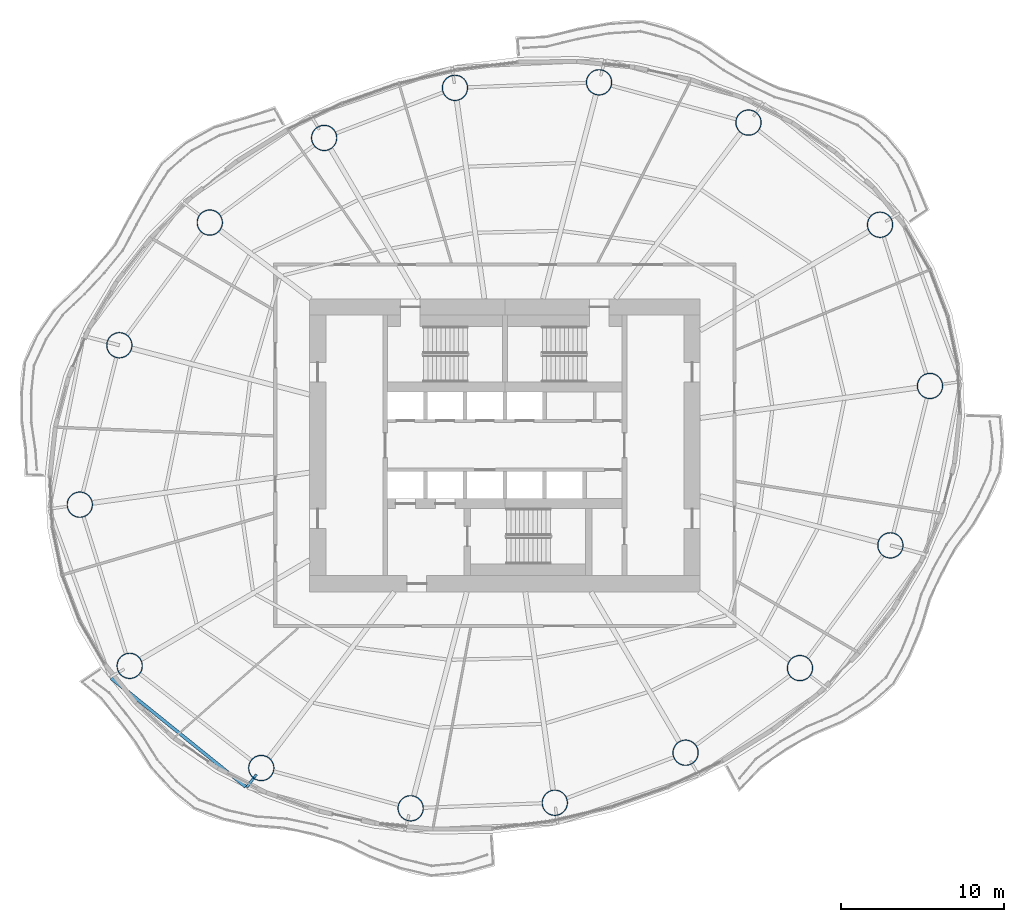
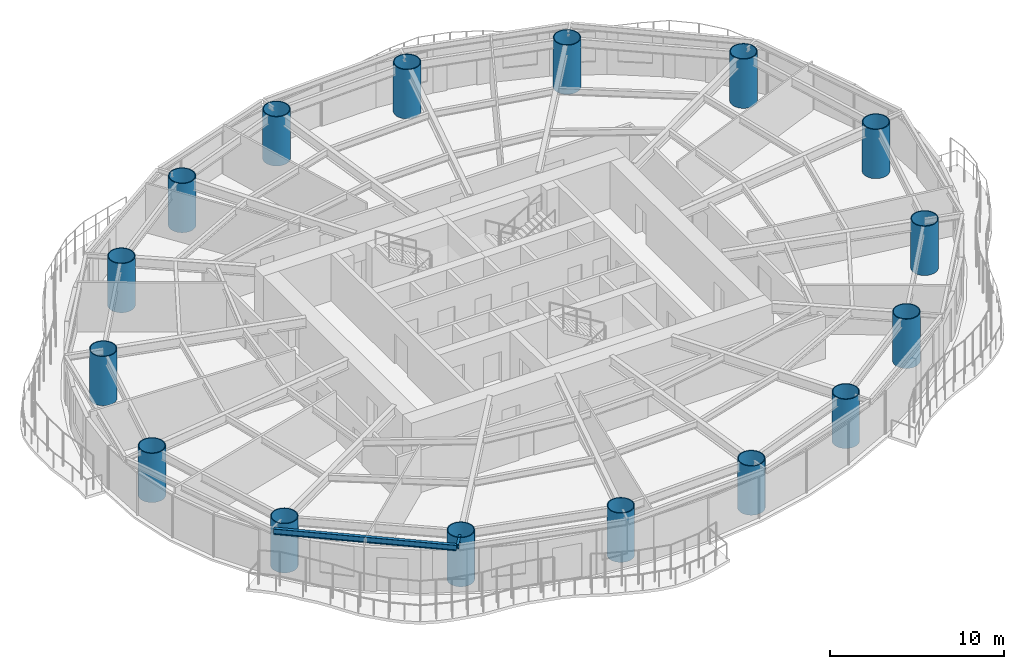
# One storey, part 1 of 16: 16 columns, 2 beams.
"""IFC4 building model written with IfcOpenShell, lengths in metres."""

import ifcopenshell
import ifcopenshell.guid

model = None  # the IFC model being written
_history = None  # IfcOwnerHistory: only IFC2X3 demands one
_inside = {}  # id of a spatial element -> (the spatial element, [elements in it])
_under = {}  # id of a project, library or spatial element -> (it, [spatial elements below it])
_declared = {}  # id of a project -> (the project, [libraries it declares])
_typed = {}  # id of a type object -> (the type object, [elements of that type])
_made_of = {}  # id of a material, layer set ... -> (it, [elements and type objects made of it])


def new_model(schema):
    """Start an empty IFC model of exactly this schema.

    Asked for "IFC4X3", IfcOpenShell would pick the latest addendum, in which some entities
    have other attributes; the version numbers below select the first issue.
    IFC2X3 requires an IfcOwnerHistory on every rooted entity: one is made here for all.
    """
    global model, _history
    if schema == "IFC4X3":
        model = ifcopenshell.file(schema_version=(4, 3, 0, 0))
    else:
        model = ifcopenshell.file(schema=schema)
    _inside.clear()
    _under.clear()
    _declared.clear()
    _typed.clear()
    _made_of.clear()
    _history = None
    if model.schema == "IFC2X3":
        org = make("IfcOrganization", Name="unknown")
        user = make(
            "IfcPersonAndOrganization",
            ThePerson=make("IfcPerson", FamilyName="unknown"),
            TheOrganization=org,
        )
        app = make(
            "IfcApplication",
            ApplicationDeveloper=org,
            Version="unknown",
            ApplicationFullName="unknown",
            ApplicationIdentifier="unknown",
        )
        _history = make(
            "IfcOwnerHistory",
            OwningUser=user,
            OwningApplication=app,
            ChangeAction="ADDED",
            CreationDate=0,
        )
    return model


def make(cls, **values):
    """One entity of the class cls with the attributes given. An attribute that is None is left unset."""
    return model.create_entity(
        cls, **{name: value for name, value in values.items() if value is not None}
    )


def rooted(cls, **values):
    """An entity with a GlobalId (a new one), such as an element, a storey or a relation."""
    return make(cls, GlobalId=ifcopenshell.guid.new(), OwnerHistory=_history, **values)


def si_unit(unit_type, name, prefix=None):
    """IfcSIUnit, for example si_unit("LENGTHUNIT", "METRE", prefix="MILLI")."""
    return make("IfcSIUnit", UnitType=unit_type, Prefix=prefix, Name=name)


def assignment(units):
    """IfcUnitAssignment: the units of a project."""
    return None if units is None else make("IfcUnitAssignment", Units=units)


def point(xyz):
    """IfcCartesianPoint."""
    return None if xyz is None else make("IfcCartesianPoint", Coordinates=xyz)


def direction(xyz):
    """IfcDirection."""
    return None if xyz is None else make("IfcDirection", DirectionRatios=xyz)


def frame(location, z_axis=None, x_axis=None):
    """IfcAxis2Placement3D, a coordinate frame: its origin and axes. An axis left out is left unset."""
    return make(
        "IfcAxis2Placement3D",
        Location=point(location),
        Axis=direction(z_axis),
        RefDirection=direction(x_axis),
    )


def frame_2d(location, x_axis=None):
    """IfcAxis2Placement2D, a coordinate frame in the plane: its origin and x axis."""
    return make(
        "IfcAxis2Placement2D", Location=point(location), RefDirection=direction(x_axis)
    )


def origin():
    """The frame at (0, 0, 0) with its axes left unset."""
    return frame((0.0, 0.0, 0.0))


def origin_2d():
    """The frame at (0, 0) in the plane with its x axis left unset."""
    return frame_2d((0.0, 0.0))


def place(relative_to, where):
    """IfcLocalPlacement: puts the frame where relative to a parent placement (None: the world)."""
    return make(
        "IfcLocalPlacement", PlacementRelTo=relative_to, RelativePlacement=where
    )


def context(
    kind, dimensions, precision=None, world=None, true_north=None, identifier=None
):
    """IfcGeometricRepresentationContext, for example the 3D "Model" context."""
    return make(
        "IfcGeometricRepresentationContext",
        ContextIdentifier=identifier,
        ContextType=kind,
        CoordinateSpaceDimension=dimensions,
        Precision=precision,
        WorldCoordinateSystem=world,
        TrueNorth=true_north,
    )


def subcontext(parent, identifier, kind, view, scale=None):
    """IfcGeometricRepresentationSubContext, for example "Body" below "Model"."""
    return make(
        "IfcGeometricRepresentationSubContext",
        ContextIdentifier=identifier,
        ContextType=kind,
        ParentContext=parent,
        TargetScale=scale,
        TargetView=view,
    )


def project(units=None, contexts=None):
    """IfcProject with its units and contexts."""
    return rooted(
        "IfcProject",
        Name="project",
        RepresentationContexts=contexts,
        UnitsInContext=assignment(units),
    )


def spatial(cls, under=None, at=None, **own):
    """A site, building, storey or space (cls), placed at a placement, below another one or the project."""
    s = rooted(cls, ObjectPlacement=at, **own)
    if under is not None:
        _under.setdefault(under.id(), (under, []))[1].append(s)
    return s


def profile(cls, at=None, kind="AREA", **sizes):
    """A parametric profile (cls). Its sizes go by their IFC names, for example OverallWidth=200.0."""
    return make(cls, ProfileType=kind, Position=at, **sizes)


def hollow_circle(**sizes):
    """IfcCircleHollowProfileDef."""
    return profile("IfcCircleHollowProfileDef", **sizes)


def i_section(**sizes):
    """IfcIShapeProfileDef."""
    return profile("IfcIShapeProfileDef", **sizes)


def extrude(swept, where, along, depth):
    """IfcExtrudedAreaSolid: the profile swept, set in the frame where, extruded along a direction by depth."""
    return make(
        "IfcExtrudedAreaSolid",
        SweptArea=swept,
        Position=where,
        ExtrudedDirection=direction(along),
        Depth=depth,
    )


def shape(context_of_items, identifier, shape_type, items):
    """IfcShapeRepresentation: the items that make up one representation, for example the "Body"."""
    return make(
        "IfcShapeRepresentation",
        ContextOfItems=context_of_items,
        RepresentationIdentifier=identifier,
        RepresentationType=shape_type,
        Items=items,
    )


def material(Name=None, Category=None):
    """IfcMaterial."""
    return make("IfcMaterial", Name=Name, Category=Category)


def material_profile(
    of_material, cross_section, Name=None, Category=None, Priority=None
):
    """IfcMaterialProfile: a cross section and its material."""
    return make(
        "IfcMaterialProfile",
        Name=Name,
        Material=of_material,
        Profile=cross_section,
        Priority=Priority,
        Category=Category,
    )


def profile_set(profiles, Name=None, composite=None):
    """IfcMaterialProfileSet."""
    return make(
        "IfcMaterialProfileSet",
        Name=Name,
        MaterialProfiles=profiles,
        CompositeProfile=composite,
    )


def made_of(thing, what):
    """Note that an element or type object is made of a material, layer set ...; save() writes the relation."""
    if what is not None:
        _made_of.setdefault(what.id(), (what, []))[1].append(thing)
    return thing


def type_object(cls, material=None, **own):
    """A type object (cls), such as IfcWallType, which elements share."""
    return made_of(rooted(cls, **own), material)


def element(
    cls,
    number,
    at=None,
    inside=None,
    cuts=None,
    type_object=None,
    material=None,
    context=None,
    identifier="Body",
    shape_type=None,
    held_by="IfcProductDefinitionShape",
    body=None,
    shapes=None,
    **own,
):
    """One element of the class cls, such as IfcWall. Its Tag is "e" and its number.

    at: its placement. inside: the storey or other place that contains it. cuts: it is an
    opening in that element (IfcRelVoidsElement). A single representation is given by context,
    identifier, shape_type and body (its items); several are given by shapes. held_by: the class
    of the entity that holds the representations. save() writes the other relations.
    """
    e = rooted(cls, Tag="e%d" % number, ObjectPlacement=at, **own)
    if body is not None:
        shapes = [shape(context, identifier, shape_type, body)]
    if shapes is not None:
        e.Representation = make(held_by, Representations=shapes)
    if inside is not None:
        _inside.setdefault(inside.id(), (inside, []))[1].append(e)
    if cuts is not None:
        rooted(
            "IfcRelVoidsElement", RelatingBuildingElement=cuts, RelatedOpeningElement=e
        )
    if type_object is not None:
        _typed.setdefault(type_object.id(), (type_object, []))[1].append(e)
    return made_of(e, material)


def aggregate(whole, parts):
    """IfcRelAggregates: a whole, such as a stair, and the parts it consists of."""
    return rooted("IfcRelAggregates", RelatingObject=whole, RelatedObjects=parts)


def save(model, path):
    """Write the relations noted so far, then the file.

    IfcRelAggregates (storeys below a building ...), IfcRelContainedInSpatialStructure (elements
    in a storey), IfcRelDefinesByType, IfcRelAssociatesMaterial and IfcRelDeclares: one each for
    every whole, place, type object, material and project.
    """
    for whole, parts in _under.values():
        aggregate(whole, parts)
    for where, things in _inside.values():
        rooted(
            "IfcRelContainedInSpatialStructure",
            RelatedElements=things,
            RelatingStructure=where,
        )
    for kind, things in _typed.values():
        rooted("IfcRelDefinesByType", RelatedObjects=things, RelatingType=kind)
    for what, things in _made_of.values():
        rooted("IfcRelAssociatesMaterial", RelatedObjects=things, RelatingMaterial=what)
    for by, libraries in _declared.values():
        rooted("IfcRelDeclares", RelatingContext=by, RelatedDefinitions=libraries)
    model.write(path)


model = new_model("IFC4")

# Units and contexts
model_context = context("Model", 3, precision=1e-05, world=origin(), true_north=direction((0.0, 1.0)))
body_context = subcontext(model_context, "Body", "Model", "MODEL_VIEW")
ifc_project = project(units=[si_unit("LENGTHUNIT", "METRE"), si_unit("AREAUNIT", "SQUARE_METRE"), si_unit("VOLUMEUNIT", "CUBIC_METRE"), si_unit("PLANEANGLEUNIT", "RADIAN"), si_unit("MASSUNIT", "GRAM", prefix="KILO")], contexts=[model_context])

# Site, building, storey
site_placement = place(None, origin())
site = spatial("IfcSite", under=ifc_project, at=site_placement, CompositionType="ELEMENT")
building_placement = place(site_placement, origin())
building = spatial("IfcBuilding", under=site, at=building_placement, Name="Vermilion Reach Broadcast Tower", CompositionType="ELEMENT")
storey_placement = place(building_placement, frame((0.0, 0.0, 99.39990234375)))
storey = spatial("IfcBuildingStorey", under=building, at=storey_placement, Name="L22", CompositionType="ELEMENT", Elevation=99.39990234375)

# Columns
ifc_material_1 = material(Name="Concrete C80 infill in steel S460NL tube", Category="concrete")
ifc_material_profile_1 = material_profile(ifc_material_1, hollow_circle(Radius=0.800048828125, WallThickness=0.054931640625, at=origin_2d()), Name="Concrete C80 infill in steel S460NL tube CFT 1600x55")
ifc_profile_set_1 = profile_set([ifc_material_profile_1], Name="Concrete C80 infill in steel S460NL tube")
column_type = type_object("IfcColumnType", Name="MC2 CFT 1600x55", PredefinedType="COLUMN", material=ifc_profile_set_1)
for number, where, z_axis, x_axis, name in (
    (1, (17.04345703125, 13.546630859375, 0.0), (0.0, 0.0, 1.0), (1.0, 0.0, 0.0), "Mega-column MC2-01"),
    (2, (8.96337890625, 19.821044921875, 0.0), (0.0, 0.0, 1.0), (1.0, 0.0, 0.0), "Mega-column MC2-02"),
    (3, (-0.21337890625, 22.29443359375, 0.0), (0.0, 0.0, 1.0), (1.0, 0.0, 0.0), "Mega-column MC2-03"),
    (4, (-9.066162109375, 21.955810546875, 0.0), (0.0, 0.0, 1.0), (1.0, 0.0, 0.0), "Mega-column MC2-04"),
    (5, (-17.099609375, 18.881103515625, 0.0), (0.0, 0.0, 1.0), (1.0, 0.0, 0.0), "Mega-column MC2-05"),
    (6, (-24.12451171875, 13.6826171875, 0.0), (0.0, 0.0, 1.0), (1.0, 0.0, 0.0), "Mega-column MC2-06"),
    (7, (-29.6787109375, 6.145751953125, 0.0), (0.0, 0.0, 1.0), (1.0, 0.0, 0.0), "Mega-column MC2-07"),
    (8, (-32.10888671875, -3.646240234375, 0.0), (0.0, 0.0, 1.0), (1.0, 0.0, 0.0), "Mega-column MC2-08"),
    (9, (-29.04345703125, -13.546630859375, 0.0), (0.0, 0.0, 1.0), (1.0, 0.0, 0.0), "Mega-column MC2-09"),
    (10, (-20.96337890625, -19.821044921875, 0.0), (0.0, 0.0, 1.0), (1.0, 0.0, 0.0), "Mega-column MC2-10"),
    (11, (-11.78662109375, -22.29443359375, 0.0), (0.0, 0.0, 1.0), (1.0, 0.0, 0.0), "Mega-column MC2-11"),
    (12, (-2.933837890625, -21.955810546875, 0.0), (0.0, 0.0, 1.0), (1.0, 0.0, 0.0), "Mega-column MC2-12"),
    (13, (5.099609375, -18.881103515625, 0.0), (0.0, 0.0, 1.0), (1.0, 0.0, 0.0), "Mega-column MC2-13"),
    (14, (12.12451171875, -13.6826171875, 0.0), (0.0, 0.0, 1.0), (1.0, 0.0, 0.0), "Mega-column MC2-14"),
    (15, (17.6787109375, -6.145751953125, 0.0), (0.0, 0.0, 1.0), (1.0, 0.0, 0.0), "Mega-column MC2-15"),
    (16, (20.10888671875, 3.646240234375, 0.0), (0.0, 0.0, 1.0), (1.0, 0.0, 0.0), "Mega-column MC2-16"),
):
    element("IfcColumn", number, at=place(storey_placement, frame(where, z_axis=z_axis, x_axis=x_axis)), inside=storey, type_object=column_type, Name=name, PredefinedType="COLUMN", context=body_context, shape_type="SweptSolid", body=[
        extrude(hollow_circle(Radius=0.800048828125, WallThickness=0.054931640625, at=origin_2d()), origin(), (0.0, 0.0, 1.0), 3.4501953125),
    ])

# Beams
ifc_material_2 = material(Name="Steel S355J2", Category="steel")
ifc_material_profile_2 = material_profile(ifc_material_2, i_section(OverallWidth=0.199951171875, OverallDepth=0.39990234375, WebThickness=0.008056640625, FlangeThickness=0.012939453125, at=origin_2d()), Name="S355J2 HN 400x200x8x13")
ifc_profile_set_2 = profile_set([ifc_material_profile_2], Name="Steel S355J2")
beam_type_1 = type_object("IfcBeamType", Name="EB2 HN 400x200x8x13", PredefinedType="BEAM", material=ifc_profile_set_2)
beam_1_placement = place(storey_placement, frame((-30.182861328125, -14.303466796875, 3.25), z_axis=(0.778233881601, -0.627974542102, 0.0), x_axis=(0.627974542102, 0.778233881601, 0.0)))
element("IfcBeam", 17, at=beam_1_placement, inside=storey, type_object=beam_type_1, Name="Edge beam EB2-09", PredefinedType="BEAM", context=body_context, shape_type="SweptSolid", body=[
    extrude(i_section(OverallWidth=0.199951171875, OverallDepth=0.39990234375, WebThickness=0.008056640625, FlangeThickness=0.012939453125, at=origin_2d()), origin(), (0.0, 0.0, 1.0), 10.61328125),
])
ifc_material_3 = material(Name="Steel S355J2", Category="steel")
ifc_material_profile_3 = material_profile(ifc_material_3, i_section(OverallWidth=0.14990234375, OverallDepth=0.300048828125, WebThickness=0.006591796875, FlangeThickness=0.009033203125, at=origin_2d()), Name="S355J2 HN 300x150x6.5x9")
ifc_profile_set_3 = profile_set([ifc_material_profile_3], Name="Steel S355J2")
beam_type_2 = type_object("IfcBeamType", Name="GS2 HN 300x150x6.5x9", PredefinedType="BEAM", material=ifc_profile_set_3)
beam_2_placement = place(storey_placement, frame((-21.262451171875, -20.21728515625, 3.300048828125), z_axis=(-0.602536027779, -0.798091683473, 0.0), x_axis=(0.798091683473, -0.602536027779, 0.0)))
element("IfcBeam", 18, at=beam_2_placement, inside=storey, type_object=beam_type_2, Name="Cantilever stub GS2-10", PredefinedType="BEAM", context=body_context, shape_type="SweptSolid", body=[
    extrude(i_section(OverallWidth=0.14990234375, OverallDepth=0.300048828125, WebThickness=0.006591796875, FlangeThickness=0.009033203125, at=origin_2d()), origin(), (0.0, 0.0, 1.0), 1.0),
])

save(model, "model.ifc")
